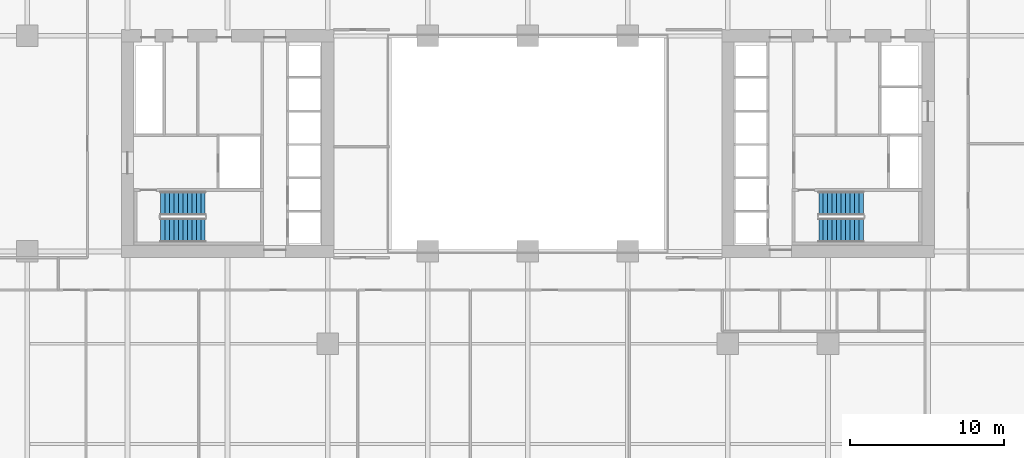
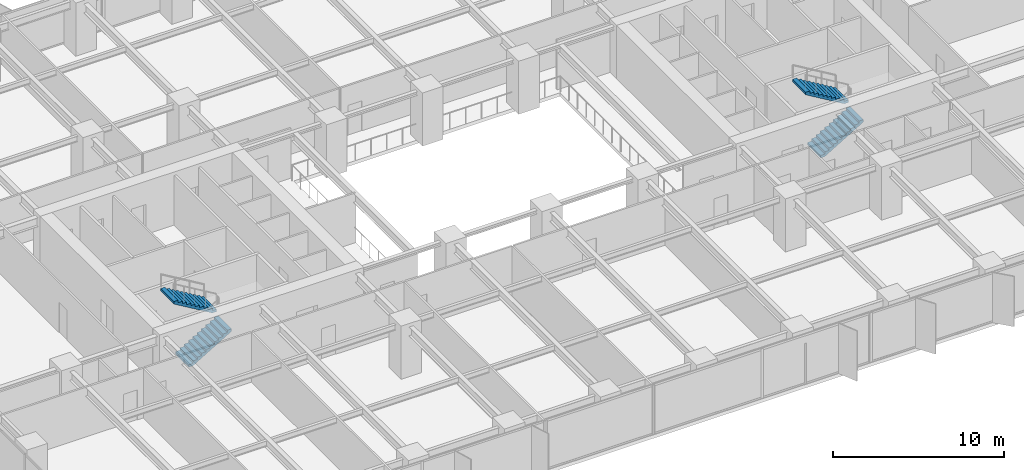
# One storey, part 16 of 20: 4 stair flights, 2 elements without a shape of their own.
"""IFC4 building model written with IfcOpenShell, lengths in metres."""

from ifc_helpers import new_model, si_unit, direction, frame, origin, place, context, subcontext, project, spatial, polyline, outline, extrude, material, type_object, element, aggregate, save


model = new_model("IFC4")

# Units and contexts
model_context = context("Model", 3, precision=1e-05, world=origin(), true_north=direction((0.0, 1.0)))
body_context = subcontext(model_context, "Body", "Model", "MODEL_VIEW")
ifc_project = project(units=[si_unit("LENGTHUNIT", "METRE"), si_unit("AREAUNIT", "SQUARE_METRE"), si_unit("VOLUMEUNIT", "CUBIC_METRE"), si_unit("PLANEANGLEUNIT", "RADIAN"), si_unit("MASSUNIT", "GRAM", prefix="KILO")], contexts=[model_context])

# Site, building, storey
site_placement = place(None, origin())
site = spatial("IfcSite", under=ifc_project, at=site_placement, CompositionType="ELEMENT")
building_placement = place(site_placement, origin())
building = spatial("IfcBuilding", under=site, at=building_placement, Name="Putna Gate Headquarters", CompositionType="ELEMENT")
storey_placement = place(building_placement, frame((0.0, 0.0, 65.800048828125)))
storey = spatial("IfcBuildingStorey", under=building, at=storey_placement, Name="L15", CompositionType="ELEMENT", Elevation=65.800048828125)

# Stair, stair flights
ifc_material = material(Name="Concrete C40/50", Category="concrete")
stair_type_1 = type_object("IfcStairType", Name="STAIR-ST1", PredefinedType="HALF_TURN_STAIR", material=ifc_material)
stair_1_placement = place(storey_placement, origin())
stair_1 = element("IfcStair", 1, at=stair_1_placement, inside=storey, type_object=stair_type_1, Name="L15 West Core Exit Stair ST1", PredefinedType="HALF_TURN_STAIR")
stair_flight_type_1 = type_object("IfcStairFlightType", Name="FLIGHT-ST1", PredefinedType="STRAIGHT", material=ifc_material)
stair_flight_1_placement = place(storey_placement, frame((15.14990234375, 20.375, 0.0), z_axis=(0.0, 0.0, 1.0), x_axis=(1.0, 0.0, 0.0)))
stair_flight_1 = element("IfcStairFlight", 2, at=stair_flight_1_placement, type_object=stair_flight_type_1, Name="ST1 flight 1", NumberOfRisers=11, NumberOfTreads=10, PredefinedType="STRAIGHT", RiserHeight=0.172727273, TreadLength=0.29, context=body_context, shape_type="SweptSolid", body=[
    extrude(outline(polyline([(0.0, 0.0), (0.0, 0.172607421875), (0.2900390625, 0.172607421875), (0.2900390625, 0.345458984375), (0.580078125, 0.345458984375), (0.580078125, 0.51806640625), (0.8701171875, 0.51806640625), (0.8701171875, 0.69091796875), (1.159912109375, 0.69091796875), (1.159912109375, 0.863525390625), (1.449951171875, 0.863525390625), (1.449951171875, 1.036376953125), (1.739990234375, 1.036376953125), (1.739990234375, 1.208984375), (2.030029296875, 1.208984375), (2.030029296875, 1.3818359375), (2.320068359375, 1.3818359375), (2.320068359375, 1.554443359375), (2.610107421875, 1.554443359375), (2.610107421875, 1.727294921875), (2.89990234375, 1.727294921875), (2.89990234375, 1.89990234375), (2.89990234375, 1.552734375), (0.29296875, 0.0), (0.0, 0.0)])), frame((0.0, 0.77490234375, 0.0), z_axis=(0.0, -1.0, 0.0), x_axis=(1.0, 0.0, 0.0)), (0.0, 0.0, 1.0), 1.550048828125),
])
stair_flight_2_placement = place(storey_placement, frame((18.050048828125, 22.125, 1.89990234375), z_axis=(0.0, 0.0, 1.0), x_axis=(-1.0, 0.0, 0.0)))
stair_flight_2 = element("IfcStairFlight", 3, at=stair_flight_2_placement, type_object=stair_flight_type_1, Name="ST1 flight 2", NumberOfRisers=11, NumberOfTreads=10, PredefinedType="STRAIGHT", RiserHeight=0.172727273, TreadLength=0.29, context=body_context, shape_type="SweptSolid", body=[
    extrude(outline(polyline([(0.0, 0.0), (0.0, 0.172607421875), (0.2900390625, 0.172607421875), (0.2900390625, 0.345458984375), (0.580078125, 0.345458984375), (0.580078125, 0.51806640625), (0.8701171875, 0.51806640625), (0.8701171875, 0.69091796875), (1.159912109375, 0.69091796875), (1.159912109375, 0.863525390625), (1.449951171875, 0.863525390625), (1.449951171875, 1.036376953125), (1.739990234375, 1.036376953125), (1.739990234375, 1.208984375), (2.030029296875, 1.208984375), (2.030029296875, 1.3818359375), (2.320068359375, 1.3818359375), (2.320068359375, 1.554443359375), (2.610107421875, 1.554443359375), (2.610107421875, 1.727294921875), (2.89990234375, 1.727294921875), (2.89990234375, 1.89990234375), (2.89990234375, 1.552734375), (0.29296875, 0.0), (0.0, 0.0)])), frame((0.0, 0.77490234375, 0.0), z_axis=(0.0, -1.0, 0.0), x_axis=(1.0, 0.0, 0.0)), (0.0, 0.0, 1.0), 1.550048828125),
])
aggregate(stair_1, [stair_flight_1, stair_flight_2])

stair_type_2 = type_object("IfcStairType", Name="STAIR-ST2", PredefinedType="HALF_TURN_STAIR", material=ifc_material)
stair_2_placement = place(storey_placement, origin())
stair_2 = element("IfcStair", 4, at=stair_2_placement, inside=storey, type_object=stair_type_2, Name="L15 East Core Exit Stair ST2", PredefinedType="HALF_TURN_STAIR")
stair_flight_type_2 = type_object("IfcStairFlightType", Name="FLIGHT-ST2", PredefinedType="STRAIGHT", material=ifc_material)
stair_flight_3_placement = place(storey_placement, frame((57.89990234375, 20.375, 0.0), z_axis=(0.0, 0.0, 1.0), x_axis=(1.0, 0.0, 0.0)))
stair_flight_3 = element("IfcStairFlight", 5, at=stair_flight_3_placement, type_object=stair_flight_type_2, Name="ST2 flight 1", NumberOfRisers=11, NumberOfTreads=10, PredefinedType="STRAIGHT", RiserHeight=0.172727273, TreadLength=0.29, context=body_context, shape_type="SweptSolid", body=[
    extrude(outline(polyline([(0.0, 0.0), (0.0, 0.172607421875), (0.2900390625, 0.172607421875), (0.2900390625, 0.345458984375), (0.580078125, 0.345458984375), (0.580078125, 0.51806640625), (0.8701171875, 0.51806640625), (0.8701171875, 0.69091796875), (1.159912109375, 0.69091796875), (1.159912109375, 0.863525390625), (1.449951171875, 0.863525390625), (1.449951171875, 1.036376953125), (1.739990234375, 1.036376953125), (1.739990234375, 1.208984375), (2.030029296875, 1.208984375), (2.030029296875, 1.3818359375), (2.320068359375, 1.3818359375), (2.320068359375, 1.554443359375), (2.610107421875, 1.554443359375), (2.610107421875, 1.727294921875), (2.89990234375, 1.727294921875), (2.89990234375, 1.89990234375), (2.89990234375, 1.552734375), (0.29296875, 0.0), (0.0, 0.0)])), frame((0.0, 0.77490234375, 0.0), z_axis=(0.0, -1.0, 0.0), x_axis=(1.0, 0.0, 0.0)), (0.0, 0.0, 1.0), 1.550048828125),
])
stair_flight_4_placement = place(storey_placement, frame((60.800048828125, 22.125, 1.89990234375), z_axis=(0.0, 0.0, 1.0), x_axis=(-1.0, 0.0, 0.0)))
stair_flight_4 = element("IfcStairFlight", 6, at=stair_flight_4_placement, type_object=stair_flight_type_2, Name="ST2 flight 2", NumberOfRisers=11, NumberOfTreads=10, PredefinedType="STRAIGHT", RiserHeight=0.172727273, TreadLength=0.29, context=body_context, shape_type="SweptSolid", body=[
    extrude(outline(polyline([(0.0, 0.0), (0.0, 0.172607421875), (0.2900390625, 0.172607421875), (0.2900390625, 0.345458984375), (0.580078125, 0.345458984375), (0.580078125, 0.51806640625), (0.8701171875, 0.51806640625), (0.8701171875, 0.69091796875), (1.159912109375, 0.69091796875), (1.159912109375, 0.863525390625), (1.449951171875, 0.863525390625), (1.449951171875, 1.036376953125), (1.739990234375, 1.036376953125), (1.739990234375, 1.208984375), (2.030029296875, 1.208984375), (2.030029296875, 1.3818359375), (2.320068359375, 1.3818359375), (2.320068359375, 1.554443359375), (2.610107421875, 1.554443359375), (2.610107421875, 1.727294921875), (2.89990234375, 1.727294921875), (2.89990234375, 1.89990234375), (2.89990234375, 1.552734375), (0.29296875, 0.0), (0.0, 0.0)])), frame((0.0, 0.77490234375, 0.0), z_axis=(0.0, -1.0, 0.0), x_axis=(1.0, 0.0, 0.0)), (0.0, 0.0, 1.0), 1.550048828125),
])
aggregate(stair_2, [stair_flight_3, stair_flight_4])

save(model, "model.ifc")
